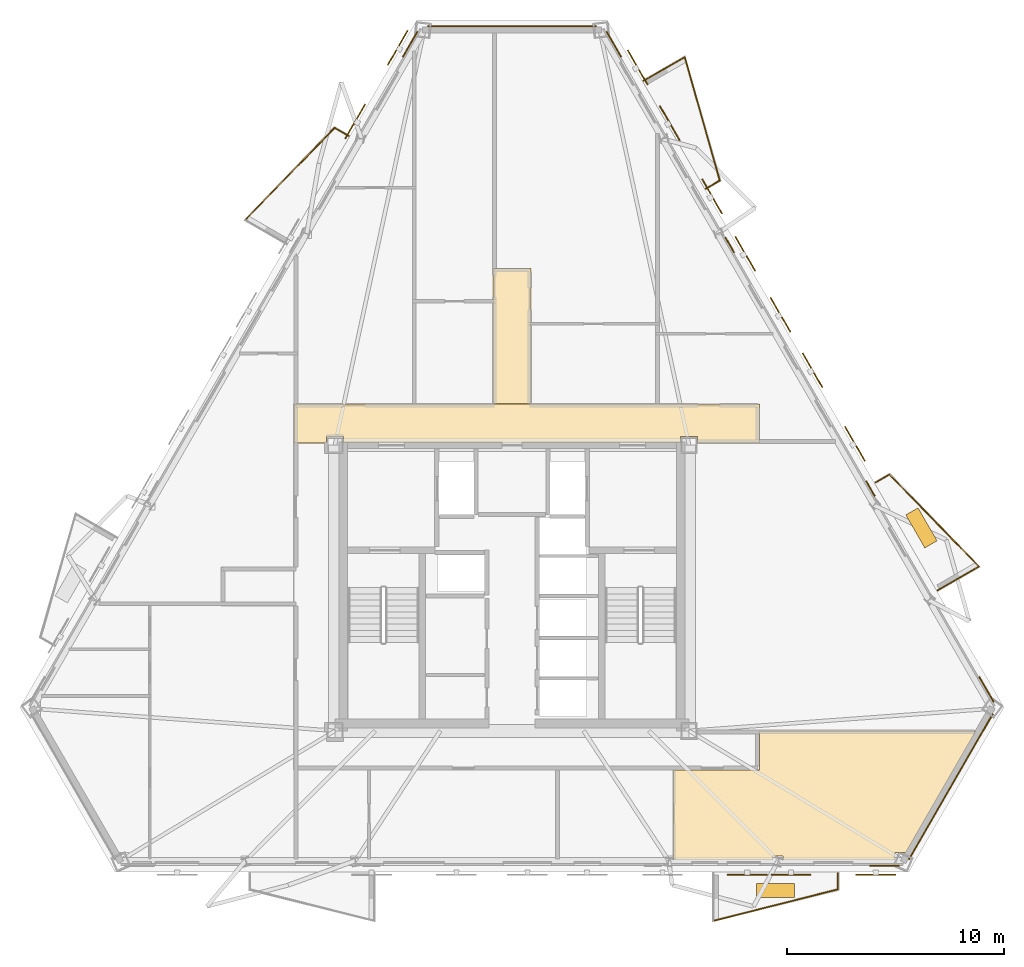
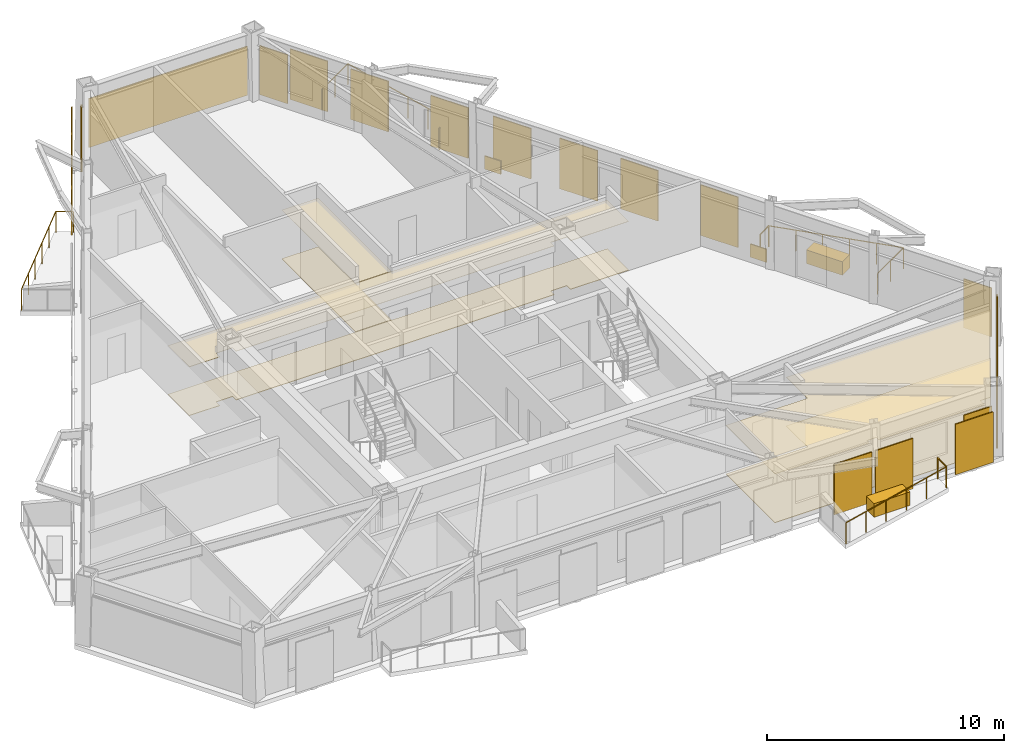
# One storey, part 9 of 9: 16 coverings, 12 shading devices, 10 railings.
"""IFC4 building model written with IfcOpenShell, lengths in metres."""

import ifcopenshell
import ifcopenshell.guid

model = None  # the IFC model being written
_history = None  # IfcOwnerHistory: only IFC2X3 demands one
_inside = {}  # id of a spatial element -> (the spatial element, [elements in it])
_under = {}  # id of a project, library or spatial element -> (it, [spatial elements below it])
_declared = {}  # id of a project -> (the project, [libraries it declares])
_typed = {}  # id of a type object -> (the type object, [elements of that type])
_made_of = {}  # id of a material, layer set ... -> (it, [elements and type objects made of it])


def new_model(schema):
    """Start an empty IFC model of exactly this schema.

    Asked for "IFC4X3", IfcOpenShell would pick the latest addendum, in which some entities
    have other attributes; the version numbers below select the first issue.
    IFC2X3 requires an IfcOwnerHistory on every rooted entity: one is made here for all.
    """
    global model, _history
    if schema == "IFC4X3":
        model = ifcopenshell.file(schema_version=(4, 3, 0, 0))
    else:
        model = ifcopenshell.file(schema=schema)
    _inside.clear()
    _under.clear()
    _declared.clear()
    _typed.clear()
    _made_of.clear()
    _history = None
    if model.schema == "IFC2X3":
        org = make("IfcOrganization", Name="unknown")
        user = make(
            "IfcPersonAndOrganization",
            ThePerson=make("IfcPerson", FamilyName="unknown"),
            TheOrganization=org,
        )
        app = make(
            "IfcApplication",
            ApplicationDeveloper=org,
            Version="unknown",
            ApplicationFullName="unknown",
            ApplicationIdentifier="unknown",
        )
        _history = make(
            "IfcOwnerHistory",
            OwningUser=user,
            OwningApplication=app,
            ChangeAction="ADDED",
            CreationDate=0,
        )
    return model


def make(cls, **values):
    """One entity of the class cls with the attributes given. An attribute that is None is left unset."""
    return model.create_entity(
        cls, **{name: value for name, value in values.items() if value is not None}
    )


def rooted(cls, **values):
    """An entity with a GlobalId (a new one), such as an element, a storey or a relation."""
    return make(cls, GlobalId=ifcopenshell.guid.new(), OwnerHistory=_history, **values)


def si_unit(unit_type, name, prefix=None):
    """IfcSIUnit, for example si_unit("LENGTHUNIT", "METRE", prefix="MILLI")."""
    return make("IfcSIUnit", UnitType=unit_type, Prefix=prefix, Name=name)


def assignment(units):
    """IfcUnitAssignment: the units of a project."""
    return None if units is None else make("IfcUnitAssignment", Units=units)


def point(xyz):
    """IfcCartesianPoint."""
    return None if xyz is None else make("IfcCartesianPoint", Coordinates=xyz)


def direction(xyz):
    """IfcDirection."""
    return None if xyz is None else make("IfcDirection", DirectionRatios=xyz)


def frame(location, z_axis=None, x_axis=None):
    """IfcAxis2Placement3D, a coordinate frame: its origin and axes. An axis left out is left unset."""
    return make(
        "IfcAxis2Placement3D",
        Location=point(location),
        Axis=direction(z_axis),
        RefDirection=direction(x_axis),
    )


def frame_2d(location, x_axis=None):
    """IfcAxis2Placement2D, a coordinate frame in the plane: its origin and x axis."""
    return make(
        "IfcAxis2Placement2D", Location=point(location), RefDirection=direction(x_axis)
    )


def origin():
    """The frame at (0, 0, 0) with its axes left unset."""
    return frame((0.0, 0.0, 0.0))


def origin_2d():
    """The frame at (0, 0) in the plane with its x axis left unset."""
    return frame_2d((0.0, 0.0))


def place(relative_to, where):
    """IfcLocalPlacement: puts the frame where relative to a parent placement (None: the world)."""
    return make(
        "IfcLocalPlacement", PlacementRelTo=relative_to, RelativePlacement=where
    )


def context(
    kind, dimensions, precision=None, world=None, true_north=None, identifier=None
):
    """IfcGeometricRepresentationContext, for example the 3D "Model" context."""
    return make(
        "IfcGeometricRepresentationContext",
        ContextIdentifier=identifier,
        ContextType=kind,
        CoordinateSpaceDimension=dimensions,
        Precision=precision,
        WorldCoordinateSystem=world,
        TrueNorth=true_north,
    )


def subcontext(parent, identifier, kind, view, scale=None):
    """IfcGeometricRepresentationSubContext, for example "Body" below "Model"."""
    return make(
        "IfcGeometricRepresentationSubContext",
        ContextIdentifier=identifier,
        ContextType=kind,
        ParentContext=parent,
        TargetScale=scale,
        TargetView=view,
    )


def project(units=None, contexts=None):
    """IfcProject with its units and contexts."""
    return rooted(
        "IfcProject",
        Name="project",
        RepresentationContexts=contexts,
        UnitsInContext=assignment(units),
    )


def spatial(cls, under=None, at=None, **own):
    """A site, building, storey or space (cls), placed at a placement, below another one or the project."""
    s = rooted(cls, ObjectPlacement=at, **own)
    if under is not None:
        _under.setdefault(under.id(), (under, []))[1].append(s)
    return s


def polyline(points):
    """IfcPolyline through the points."""
    return make("IfcPolyline", Points=[point(p) for p in points])


def profile(cls, at=None, kind="AREA", **sizes):
    """A parametric profile (cls). Its sizes go by their IFC names, for example OverallWidth=200.0."""
    return make(cls, ProfileType=kind, Position=at, **sizes)


def rectangle(**sizes):
    """IfcRectangleProfileDef."""
    return profile("IfcRectangleProfileDef", **sizes)


def circle(**sizes):
    """IfcCircleProfileDef."""
    return profile("IfcCircleProfileDef", **sizes)


def outline(outer, holes=None, kind="AREA"):
    """IfcArbitraryClosedProfileDef: a profile drawn as a closed curve; with holes, ...WithVoids."""
    if holes is None:
        return make("IfcArbitraryClosedProfileDef", ProfileType=kind, OuterCurve=outer)
    return make(
        "IfcArbitraryProfileDefWithVoids",
        ProfileType=kind,
        OuterCurve=outer,
        InnerCurves=holes,
    )


def extrude(swept, where, along, depth):
    """IfcExtrudedAreaSolid: the profile swept, set in the frame where, extruded along a direction by depth."""
    return make(
        "IfcExtrudedAreaSolid",
        SweptArea=swept,
        Position=where,
        ExtrudedDirection=direction(along),
        Depth=depth,
    )


def shape(context_of_items, identifier, shape_type, items):
    """IfcShapeRepresentation: the items that make up one representation, for example the "Body"."""
    return make(
        "IfcShapeRepresentation",
        ContextOfItems=context_of_items,
        RepresentationIdentifier=identifier,
        RepresentationType=shape_type,
        Items=items,
    )


def material(Name=None, Category=None):
    """IfcMaterial."""
    return make("IfcMaterial", Name=Name, Category=Category)


def layer(
    of_material, thickness, ventilated=None, Name=None, Category=None, Priority=None
):
    """IfcMaterialLayer: one layer of a wall or slab, of a material (None: an air gap)."""
    return make(
        "IfcMaterialLayer",
        Material=of_material,
        LayerThickness=thickness,
        IsVentilated=ventilated,
        Name=Name,
        Category=Category,
        Priority=Priority,
    )


def layer_set(layers, Name=None):
    """IfcMaterialLayerSet."""
    return make("IfcMaterialLayerSet", MaterialLayers=layers, LayerSetName=Name)


def made_of(thing, what):
    """Note that an element or type object is made of a material, layer set ...; save() writes the relation."""
    if what is not None:
        _made_of.setdefault(what.id(), (what, []))[1].append(thing)
    return thing


def type_object(cls, material=None, **own):
    """A type object (cls), such as IfcWallType, which elements share."""
    return made_of(rooted(cls, **own), material)


def element(
    cls,
    number,
    at=None,
    inside=None,
    cuts=None,
    type_object=None,
    material=None,
    context=None,
    identifier="Body",
    shape_type=None,
    held_by="IfcProductDefinitionShape",
    body=None,
    shapes=None,
    **own,
):
    """One element of the class cls, such as IfcWall. Its Tag is "e" and its number.

    at: its placement. inside: the storey or other place that contains it. cuts: it is an
    opening in that element (IfcRelVoidsElement). A single representation is given by context,
    identifier, shape_type and body (its items); several are given by shapes. held_by: the class
    of the entity that holds the representations. save() writes the other relations.
    """
    e = rooted(cls, Tag="e%d" % number, ObjectPlacement=at, **own)
    if body is not None:
        shapes = [shape(context, identifier, shape_type, body)]
    if shapes is not None:
        e.Representation = make(held_by, Representations=shapes)
    if inside is not None:
        _inside.setdefault(inside.id(), (inside, []))[1].append(e)
    if cuts is not None:
        rooted(
            "IfcRelVoidsElement", RelatingBuildingElement=cuts, RelatedOpeningElement=e
        )
    if type_object is not None:
        _typed.setdefault(type_object.id(), (type_object, []))[1].append(e)
    return made_of(e, material)


def aggregate(whole, parts):
    """IfcRelAggregates: a whole, such as a stair, and the parts it consists of."""
    return rooted("IfcRelAggregates", RelatingObject=whole, RelatedObjects=parts)


def save(model, path):
    """Write the relations noted so far, then the file.

    IfcRelAggregates (storeys below a building ...), IfcRelContainedInSpatialStructure (elements
    in a storey), IfcRelDefinesByType, IfcRelAssociatesMaterial and IfcRelDeclares: one each for
    every whole, place, type object, material and project.
    """
    for whole, parts in _under.values():
        aggregate(whole, parts)
    for where, things in _inside.values():
        rooted(
            "IfcRelContainedInSpatialStructure",
            RelatedElements=things,
            RelatingStructure=where,
        )
    for kind, things in _typed.values():
        rooted("IfcRelDefinesByType", RelatedObjects=things, RelatingType=kind)
    for what, things in _made_of.values():
        rooted("IfcRelAssociatesMaterial", RelatedObjects=things, RelatingMaterial=what)
    for by, libraries in _declared.values():
        rooted("IfcRelDeclares", RelatingContext=by, RelatedDefinitions=libraries)
    model.write(path)


model = new_model("IFC4")

# Units and contexts
model_context = context("Model", 3, precision=1e-05, world=origin(), true_north=direction((0.0, 1.0)))
body_context = subcontext(model_context, "Body", "Model", "MODEL_VIEW")
ifc_project = project(units=[si_unit("LENGTHUNIT", "METRE"), si_unit("AREAUNIT", "SQUARE_METRE"), si_unit("VOLUMEUNIT", "CUBIC_METRE"), si_unit("PLANEANGLEUNIT", "RADIAN"), si_unit("MASSUNIT", "GRAM", prefix="KILO")], contexts=[model_context])

# Site, building, storey
site_placement = place(None, origin())
site = spatial("IfcSite", under=ifc_project, at=site_placement, CompositionType="ELEMENT")
building_placement = place(site_placement, origin())
building = spatial("IfcBuilding", under=site, at=building_placement, Name="Oramaril Tower", CompositionType="ELEMENT")
storey_placement = place(building_placement, frame((0.0, 0.0, 178.199951171875)))
storey = spatial("IfcBuildingStorey", under=building, at=storey_placement, Name="L47", CompositionType="ELEMENT", Elevation=178.199951171875)

# Coverings
ifc_material_1 = material(Name="Mineral Fibre Acoustic Ceiling")
ifc_layer_1 = layer(ifc_material_1, 0.02001953125)
ifc_layer_set_1 = layer_set([ifc_layer_1], Name="CVT-CEIL")
covering_type_1 = type_object("IfcCoveringType", Name="CVT-CEIL", PredefinedType="CEILING", material=ifc_layer_set_1)
covering_1_placement = place(storey_placement, frame((0.0, 0.0, 2.511962890625)))
element("IfcCovering", 1, at=covering_1_placement, inside=storey, type_object=covering_type_1, Name="L47 Acoustic Suspended Ceiling 2", PredefinedType="CEILING", context=body_context, shape_type="SweptSolid", body=[
    extrude(outline(polyline([(48.8798828125, 24.239990234375), (46.044921875, 24.239990234375), (46.044921875, 24.544921875), (45.2548828125, 24.544921875), (45.2548828125, 24.25), (29.7451171875, 24.25), (29.7451171875, 24.544921875), (28.955078125, 24.544921875), (28.955078125, 24.239990234375), (27.469970703125, 24.239990234375), (27.469970703125, 26.050048828125), (48.8798828125, 26.050048828125), (48.8798828125, 24.239990234375)])), origin(), (0.0, 0.0, 1.0), 0.02001953125),
])
covering_2_placement = place(storey_placement, frame((0.0, 0.0, 2.511962890625)))
element("IfcCovering", 2, at=covering_2_placement, inside=storey, type_object=covering_type_1, Name="L47 Acoustic Suspended Ceiling 4", PredefinedType="CEILING", context=body_context, shape_type="SweptSolid", body=[
    extrude(outline(polyline([(38.3798828125, 26.070068359375), (36.6201171875, 26.070068359375), (36.6201171875, 32.280029296875), (38.3798828125, 32.280029296875), (38.3798828125, 26.070068359375)])), origin(), (0.0, 0.0, 1.0), 0.02001953125),
])
covering_3_placement = place(storey_placement, frame((0.0, 0.0, 2.511962890625)))
element("IfcCovering", 3, at=covering_3_placement, inside=storey, type_object=covering_type_1, Name="L47 Acoustic Suspended Ceiling 8", PredefinedType="CEILING", context=body_context, shape_type="SweptSolid", body=[
    extrude(outline(polyline([(55.626708984375, 5.39892578125), (55.1259765625, 5.39892578125), (55.1259765625, 5.064697265625), (49.977783203125, 5.064697265625), (49.977783203125, 5.248291015625), (49.517822265625, 5.248291015625), (49.517822265625, 5.064697265625), (44.93017578125, 5.064697265625), (44.93017578125, 5.248291015625), (44.92919921875, 5.248291015625), (44.92919921875, 9.199951171875), (48.8798828125, 9.199951171875), (48.882080078125, 9.2001953125), (48.8837890625, 9.200439453125), (48.8857421875, 9.200927734375), (48.8876953125, 9.201416015625), (48.889404296875, 9.202392578125), (48.89111328125, 9.203369140625), (48.892578125, 9.20458984375), (48.89404296875, 9.205810546875), (48.8955078125, 9.207275390625), (48.896484375, 9.208984375), (48.897705078125, 9.210693359375), (48.8984375, 9.21240234375), (48.899169921875, 9.214111328125), (48.899658203125, 9.216064453125), (48.89990234375, 9.218017578125), (48.89990234375, 9.219970703125), (48.89990234375, 10.991943359375), (58.855712890625, 10.991943359375), (55.626708984375, 5.39892578125)])), origin(), (0.0, 0.0, 1.0), 0.02001953125),
])
ifc_material_2 = material(Name="Warm Cream Limestone", Category="masonry")
ifc_layer_2 = layer(ifc_material_2, 0.050048828125)
ifc_layer_set_2 = layer_set([ifc_layer_2], Name="CVT-CLD")
covering_type_2 = type_object("IfcCoveringType", Name="CVT-CLD", PredefinedType="CLADDING", material=ifc_layer_set_2)
covering_4_placement = place(storey_placement, frame((54.64599609375, 4.788818359375, 0.0400390625), z_axis=(0.0, 0.0, 1.0), x_axis=(1.0, 0.0, 0.0)))
element("IfcCovering", 4, at=covering_4_placement, inside=storey, type_object=covering_type_2, Name="L47 Warm Cream Limestone Cladding", PredefinedType="CLADDING", context=body_context, shape_type="SweptSolid", body=[
    extrude(rectangle(XDim=1.35009765625, YDim=0.050048828125, at=origin_2d()), origin(), (0.0, 0.0, 1.0), 2.52001953125),
])
covering_5_placement = place(storey_placement, frame((57.69970703125, 8.437744140625, 0.0400390625), z_axis=(0.0, 0.0, 1.0), x_axis=(0.5, 0.866025403784, 0.0)))
element("IfcCovering", 5, at=covering_5_placement, inside=storey, type_object=covering_type_2, Name="L47 Warm Cream Limestone Cladding", PredefinedType="CLADDING", context=body_context, shape_type="SweptSolid", body=[
    extrude(rectangle(XDim=7.73291015625, YDim=0.050048828125, at=origin_2d()), origin(), (0.0, 0.0, 1.0), 2.52001953125),
])
for number, where, z_axis, x_axis, name in (
    (6, (59.3330078125, 12.90673828125, 0.0400390625), (0.0, 0.0, 1.0), (-0.5, 0.866025403784, 0.0), "L47 Warm Cream Limestone Cladding"),
    (7, (42.18701171875, 42.6044921875, 0.0400390625), (0.0, 0.0, 1.0), (-0.5, 0.866025403784, 0.0), "L47 Warm Cream Limestone Cladding"),
):
    element("IfcCovering", number, at=place(storey_placement, frame(where, z_axis=z_axis, x_axis=x_axis)), inside=storey, type_object=covering_type_2, Name=name, PredefinedType="CLADDING", context=body_context, shape_type="SweptSolid", body=[
        extrude(rectangle(XDim=1.35009765625, YDim=0.050048828125, at=origin_2d()), origin(), (0.0, 0.0, 1.0), 2.52001953125),
    ])
for number, where, z_axis, x_axis, name in (
    (8, (53.999267578125, 22.14501953125, 0.0400390625), (0.0, 0.0, 1.0), (-0.5, 0.866025403784, 0.0), "L47 Warm Cream Limestone Spandrel Cladding"),
    (9, (47.5205078125, 33.3662109375, 0.0400390625), (0.0, 0.0, 1.0), (-0.5, 0.866025403784, 0.0), "L47 Warm Cream Limestone Spandrel Cladding"),
):
    element("IfcCovering", number, at=place(storey_placement, frame(where, z_axis=z_axis, x_axis=x_axis)), inside=storey, type_object=covering_type_2, Name=name, PredefinedType="CLADDING", context=body_context, shape_type="SweptSolid", body=[
        extrude(rectangle(XDim=0.800048828125, YDim=0.050048828125, at=origin_2d()), origin(), (0.0, 0.0, 1.0), 0.679931640625),
    ])
covering_6_placement = place(storey_placement, frame((37.5, 43.424560546875, 0.0400390625), z_axis=(0.0, 0.0, 1.0), x_axis=(-1.0, 0.0, 0.0)))
element("IfcCovering", 10, at=covering_6_placement, inside=storey, type_object=covering_type_2, Name="L47 Warm Cream Limestone Cladding", PredefinedType="CLADDING", context=body_context, shape_type="SweptSolid", body=[
    extrude(rectangle(XDim=7.73291015625, YDim=0.050048828125, at=origin_2d()), origin(), (0.0, 0.0, 1.0), 2.52001953125),
])
covering_7_placement = place(storey_placement, frame((32.81298828125, 42.6044921875, 0.0400390625), z_axis=(0.0, 0.0, 1.0), x_axis=(-0.5, -0.866025403784, 0.0)))
element("IfcCovering", 11, at=covering_7_placement, inside=storey, type_object=covering_type_2, Name="L47 Warm Cream Limestone Cladding", PredefinedType="CLADDING", context=body_context, shape_type="SweptSolid", body=[
    extrude(rectangle(XDim=1.35009765625, YDim=0.050048828125, at=origin_2d()), origin(), (0.0, 0.0, 1.0), 2.52001953125),
])
for number, where, z_axis, x_axis, name in (
    (12, (49.63671875, 3.660400390625, 0.0), (0.0, 0.0, 1.0), (1.0, 0.0, 0.0), "L47 Structural Tree Planter Box L47-BAL-S2"),
    (13, (56.343017578125, 20.34228515625, 0.0), (0.0, 0.0, 1.0), (-0.5, 0.866025403784, 0.0), "L47 Structural Tree Planter Box L47-BAL-NE1"),
):
    element("IfcCovering", number, at=place(storey_placement, frame(where, z_axis=z_axis, x_axis=x_axis)), inside=storey, type_object=covering_type_2, Name=name, PredefinedType="CLADDING", context=body_context, shape_type="SweptSolid", body=[
        extrude(rectangle(XDim=1.75, YDim=0.64990234375, at=origin_2d()), origin(), (0.0, 0.0, 1.0), 0.699951171875),
    ])
ifc_material_3 = material(Name="Honed Quartzite Stone Flooring", Category="masonry")
ifc_layer_3 = layer(ifc_material_3, 0.02490234375)
ifc_layer_set_3 = layer_set([ifc_layer_3], Name="CVT-FLR")
covering_type_3 = type_object("IfcCoveringType", Name="CVT-FLR", PredefinedType="FLOORING", material=ifc_layer_set_3)
covering_8_placement = place(storey_placement, origin())
element("IfcCovering", 14, at=covering_8_placement, inside=storey, type_object=covering_type_3, Name="L47 Honed Stone Floor Finish 2", PredefinedType="FLOORING", context=body_context, shape_type="SweptSolid", body=[
    extrude(outline(polyline([(48.8798828125, 24.239990234375), (46.044921875, 24.239990234375), (46.044921875, 24.544921875), (45.2548828125, 24.544921875), (45.2548828125, 24.25), (29.7451171875, 24.25), (29.7451171875, 24.544921875), (28.955078125, 24.544921875), (28.955078125, 24.239990234375), (27.469970703125, 24.239990234375), (27.469970703125, 26.050048828125), (48.8798828125, 26.050048828125), (48.8798828125, 24.239990234375)])), origin(), (0.0, 0.0, 1.0), 0.025146484375),
])
covering_9_placement = place(storey_placement, origin())
element("IfcCovering", 15, at=covering_9_placement, inside=storey, type_object=covering_type_3, Name="L47 Honed Stone Floor Finish 4", PredefinedType="FLOORING", context=body_context, shape_type="SweptSolid", body=[
    extrude(outline(polyline([(38.3798828125, 26.070068359375), (36.6201171875, 26.070068359375), (36.6201171875, 32.280029296875), (38.3798828125, 32.280029296875), (38.3798828125, 26.070068359375)])), origin(), (0.0, 0.0, 1.0), 0.025146484375),
])
covering_10_placement = place(storey_placement, origin())
element("IfcCovering", 16, at=covering_10_placement, inside=storey, type_object=covering_type_3, Name="L47 Honed Stone Floor Finish 8", PredefinedType="FLOORING", context=body_context, shape_type="SweptSolid", body=[
    extrude(outline(polyline([(55.626708984375, 5.39892578125), (55.1259765625, 5.39892578125), (55.1259765625, 5.064697265625), (49.977783203125, 5.064697265625), (49.977783203125, 5.248291015625), (49.517822265625, 5.248291015625), (49.517822265625, 5.064697265625), (44.93017578125, 5.064697265625), (44.93017578125, 5.248291015625), (44.92919921875, 5.248291015625), (44.92919921875, 9.199951171875), (48.8798828125, 9.199951171875), (48.882080078125, 9.2001953125), (48.8837890625, 9.200439453125), (48.8857421875, 9.200927734375), (48.8876953125, 9.201416015625), (48.889404296875, 9.202392578125), (48.89111328125, 9.203369140625), (48.892578125, 9.20458984375), (48.89404296875, 9.205810546875), (48.8955078125, 9.207275390625), (48.896484375, 9.208984375), (48.897705078125, 9.210693359375), (48.8984375, 9.21240234375), (48.899169921875, 9.214111328125), (48.899658203125, 9.216064453125), (48.89990234375, 9.218017578125), (48.89990234375, 9.219970703125), (48.89990234375, 10.991943359375), (58.855712890625, 10.991943359375), (55.626708984375, 5.39892578125)])), origin(), (0.0, 0.0, 1.0), 0.025146484375),
])

# Railings
ifc_material_4 = material(Name="Stainless Steel 316L", Category="steel")
railing_type = type_object("IfcRailingType", Name="RLT-GRD", PredefinedType="GUARDRAIL", material=ifc_material_4)
railing_1_placement = place(storey_placement, frame((52.501708984375, 4.44873046875, 0.0)))
element("IfcRailing", 17, at=railing_1_placement, inside=storey, type_object=railing_type, Name="L47 Balcony Guardrail L47-BAL-S2.1", PredefinedType="GUARDRAIL", context=body_context, shape_type="SweptSolid", body=[
    extrude(circle(Radius=0.02392578125, at=origin_2d()), frame((0.0, 0.0, 1.076171875), z_axis=(0.0, -1.0, 0.0), x_axis=(1.0, 0.0, 0.0)), (0.0, 0.0, 1.0), 0.741943359375),
    extrude(circle(Radius=0.02099609375, at=origin_2d()), origin(), (0.0, 0.0, 1.0), 1.052001953125),
    extrude(circle(Radius=0.02099609375, at=origin_2d()), frame((0.0, -0.741943359375, 0.0)), (0.0, 0.0, 1.0), 1.052001953125),
])
railing_2_placement = place(storey_placement, frame((52.501708984375, 3.706787109375, 0.0)))
element("IfcRailing", 18, at=railing_2_placement, inside=storey, type_object=railing_type, Name="L47 Balcony Guardrail L47-BAL-S2.2", PredefinedType="GUARDRAIL", context=body_context, shape_type="SweptSolid", body=[
    extrude(circle(Radius=0.02392578125, at=origin_2d()), frame((0.0, 0.0, 1.076171875), z_axis=(-0.969446096844, -0.245304433946, 0.0), x_axis=(0.245304433946, -0.969446096844, 0.0)), (0.0, 0.0, 1.0), 5.910888671875),
    extrude(circle(Radius=0.02099609375, at=origin_2d()), origin(), (0.0, 0.0, 1.0), 1.052001953125),
    extrude(circle(Radius=0.02099609375, at=origin_2d()), frame((-1.14599609375, -0.2900390625, 0.0)), (0.0, 0.0, 1.0), 1.052001953125),
    extrude(circle(Radius=0.02099609375, at=origin_2d()), frame((-2.2919921875, -0.580078125, 0.0)), (0.0, 0.0, 1.0), 1.052001953125),
    extrude(circle(Radius=0.02099609375, at=origin_2d()), frame((-3.438232421875, -0.869873046875, 0.0)), (0.0, 0.0, 1.0), 1.052001953125),
    extrude(circle(Radius=0.02099609375, at=origin_2d()), frame((-4.584228515625, -1.159912109375, 0.0)), (0.0, 0.0, 1.0), 1.052001953125),
    extrude(circle(Radius=0.02099609375, at=origin_2d()), frame((-5.730224609375, -1.449951171875, 0.0)), (0.0, 0.0, 1.0), 1.052001953125),
])
railing_3_placement = place(storey_placement, frame((54.227783203125, 22.42919921875, 0.0)))
element("IfcRailing", 19, at=railing_3_placement, inside=storey, type_object=railing_type, Name="L47 Balcony Guardrail L47-BAL-NE1.1", PredefinedType="GUARDRAIL", context=body_context, shape_type="SweptSolid", body=[
    extrude(circle(Radius=0.02392578125, at=origin_2d()), frame((0.0, 0.0, 1.076171875), z_axis=(0.865884080729, 0.500244698863, 0.0), x_axis=(-0.500244698863, 0.865884080729, 0.0)), (0.0, 0.0, 1.0), 0.741943359375),
    extrude(circle(Radius=0.02099609375, at=origin_2d()), origin(), (0.0, 0.0, 1.0), 1.052001953125),
    extrude(circle(Radius=0.02099609375, at=origin_2d()), frame((0.642333984375, 0.37109375, 0.0)), (0.0, 0.0, 1.0), 1.052001953125),
])
railing_4_placement = place(storey_placement, frame((54.8701171875, 22.80029296875, 0.0)))
element("IfcRailing", 20, at=railing_4_placement, inside=storey, type_object=railing_type, Name="L47 Balcony Guardrail L47-BAL-NE1.2", PredefinedType="GUARDRAIL", context=body_context, shape_type="SweptSolid", body=[
    extrude(circle(Radius=0.02392578125, at=origin_2d()), frame((0.0, 0.0, 1.076171875), z_axis=(0.697186915353, -0.716889395277, 0.0), x_axis=(0.716889395277, 0.697186915353, 0.0)), (0.0, 0.0, 1.0), 5.91064453125),
    extrude(circle(Radius=0.02099609375, at=origin_2d()), origin(), (0.0, 0.0, 1.0), 1.052001953125),
    extrude(circle(Radius=0.02099609375, at=origin_2d()), frame((0.82421875, -0.847412109375, 0.0)), (0.0, 0.0, 1.0), 1.052001953125),
    extrude(circle(Radius=0.02099609375, at=origin_2d()), frame((1.6484375, -1.69482421875, 0.0)), (0.0, 0.0, 1.0), 1.052001953125),
    extrude(circle(Radius=0.02099609375, at=origin_2d()), frame((2.472412109375, -2.54248046875, 0.0)), (0.0, 0.0, 1.0), 1.052001953125),
    extrude(circle(Radius=0.02099609375, at=origin_2d()), frame((3.296630859375, -3.389892578125, 0.0)), (0.0, 0.0, 1.0), 1.052001953125),
    extrude(circle(Radius=0.02099609375, at=origin_2d()), frame((4.120849609375, -4.2373046875, 0.0)), (0.0, 0.0, 1.0), 1.052001953125),
])
railing_5_placement = place(storey_placement, frame((58.990966796875, 18.56298828125, 0.0)))
element("IfcRailing", 21, at=railing_5_placement, inside=storey, type_object=railing_type, Name="L47 Balcony Guardrail L47-BAL-NE1.3", PredefinedType="GUARDRAIL", context=body_context, shape_type="SweptSolid", body=[
    extrude(circle(Radius=0.02392578125, at=origin_2d()), frame((0.0, 0.0, 1.076171875), z_axis=(-0.866020500697, -0.5000084923, 0.0), x_axis=(0.5000084923, -0.866020500697, 0.0)), (0.0, 0.0, 1.0), 2.19189453125),
    extrude(circle(Radius=0.02099609375, at=origin_2d()), origin(), (0.0, 0.0, 1.0), 1.052001953125),
    extrude(circle(Radius=0.02099609375, at=origin_2d()), frame((-0.94921875, -0.5478515625, 0.0)), (0.0, 0.0, 1.0), 1.052001953125),
    extrude(circle(Radius=0.02099609375, at=origin_2d()), frame((-1.898193359375, -1.095947265625, 0.0)), (0.0, 0.0, 1.0), 1.052001953125),
])
railing_6_placement = place(storey_placement, frame((43.5537109375, 40.917236328125, 0.0)))
element("IfcRailing", 22, at=railing_6_placement, inside=storey, type_object=railing_type, Name="L47 Balcony Guardrail L47-BAL-NE2.1", PredefinedType="GUARDRAIL", context=body_context, shape_type="SweptSolid", body=[
    extrude(circle(Radius=0.02392578125, at=origin_2d()), frame((0.0, 0.0, 1.076171875), z_axis=(0.866020500697, 0.5000084923, 0.0), x_axis=(-0.5000084923, 0.866020500697, 0.0)), (0.0, 0.0, 1.0), 2.19189453125),
    extrude(circle(Radius=0.02099609375, at=origin_2d()), origin(), (0.0, 0.0, 1.0), 1.052001953125),
    extrude(circle(Radius=0.02099609375, at=origin_2d()), frame((0.94921875, 0.5478515625, 0.0)), (0.0, 0.0, 1.0), 1.052001953125),
    extrude(circle(Radius=0.02099609375, at=origin_2d()), frame((1.898193359375, 1.095947265625, 0.0)), (0.0, 0.0, 1.0), 1.052001953125),
])
railing_7_placement = place(storey_placement, frame((45.451904296875, 42.01318359375, 0.0)))
element("IfcRailing", 23, at=railing_7_placement, inside=storey, type_object=railing_type, Name="L47 Balcony Guardrail L47-BAL-NE2.2", PredefinedType="GUARDRAIL", context=body_context, shape_type="SweptSolid", body=[
    extrude(circle(Radius=0.02392578125, at=origin_2d()), frame((0.0, 0.0, 1.076171875), z_axis=(0.272259686627, -0.962223811303, 0.0), x_axis=(0.962223811303, 0.272259686627, 0.0)), (0.0, 0.0, 1.0), 5.910400390625),
    extrude(circle(Radius=0.02099609375, at=origin_2d()), origin(), (0.0, 0.0, 1.0), 1.052001953125),
    extrude(circle(Radius=0.02099609375, at=origin_2d()), frame((0.32177734375, -1.137451171875, 0.0)), (0.0, 0.0, 1.0), 1.052001953125),
    extrude(circle(Radius=0.02099609375, at=origin_2d()), frame((0.6435546875, -2.27490234375, 0.0)), (0.0, 0.0, 1.0), 1.052001953125),
    extrude(circle(Radius=0.02099609375, at=origin_2d()), frame((0.965576171875, -3.412109375, 0.0)), (0.0, 0.0, 1.0), 1.052001953125),
    extrude(circle(Radius=0.02099609375, at=origin_2d()), frame((1.287353515625, -4.549560546875, 0.0)), (0.0, 0.0, 1.0), 1.052001953125),
    extrude(circle(Radius=0.02099609375, at=origin_2d()), frame((1.609130859375, -5.68701171875, 0.0)), (0.0, 0.0, 1.0), 1.052001953125),
])
railing_8_placement = place(storey_placement, frame((47.06103515625, 36.326171875, 0.0)))
element("IfcRailing", 24, at=railing_8_placement, inside=storey, type_object=railing_type, Name="L47 Balcony Guardrail L47-BAL-NE2.3", PredefinedType="GUARDRAIL", context=body_context, shape_type="SweptSolid", body=[
    extrude(circle(Radius=0.02392578125, at=origin_2d()), frame((0.0, 0.0, 1.076171875), z_axis=(-0.865884080729, -0.500244698863, 0.0), x_axis=(0.500244698863, -0.865884080729, 0.0)), (0.0, 0.0, 1.0), 0.741943359375),
    extrude(circle(Radius=0.02099609375, at=origin_2d()), origin(), (0.0, 0.0, 1.0), 1.052001953125),
    extrude(circle(Radius=0.02099609375, at=origin_2d()), frame((-0.642333984375, -0.37109375, 0.0)), (0.0, 0.0, 1.0), 1.052001953125),
])
railing_9_placement = place(storey_placement, frame((25.220703125, 34.517822265625, 0.0)))
element("IfcRailing", 25, at=railing_9_placement, inside=storey, type_object=railing_type, Name="L47 Balcony Guardrail L47-BAL-NW1.2", PredefinedType="GUARDRAIL", context=body_context, shape_type="SweptSolid", body=[
    extrude(circle(Radius=0.02392578125, at=origin_2d()), frame((0.0, 0.0, 1.076171875), z_axis=(0.697165686546, 0.716910040034, 0.0), x_axis=(-0.716910040034, 0.697165686546, 0.0)), (0.0, 0.0, 1.0), 5.910400390625),
    extrude(circle(Radius=0.02099609375, at=origin_2d()), origin(), (0.0, 0.0, 1.0), 1.052001953125),
    extrude(circle(Radius=0.02099609375, at=origin_2d()), frame((0.82421875, 0.847412109375, 0.0)), (0.0, 0.0, 1.0), 1.052001953125),
    extrude(circle(Radius=0.02099609375, at=origin_2d()), frame((1.648193359375, 1.69482421875, 0.0)), (0.0, 0.0, 1.0), 1.052001953125),
    extrude(circle(Radius=0.02099609375, at=origin_2d()), frame((2.472412109375, 2.54248046875, 0.0)), (0.0, 0.0, 1.0), 1.052001953125),
    extrude(circle(Radius=0.02099609375, at=origin_2d()), frame((3.29638671875, 3.389892578125, 0.0)), (0.0, 0.0, 1.0), 1.052001953125),
    extrude(circle(Radius=0.02099609375, at=origin_2d()), frame((4.12060546875, 4.2373046875, 0.0)), (0.0, 0.0, 1.0), 1.052001953125),
])
railing_10_placement = place(storey_placement, frame((29.34130859375, 38.755126953125, 0.0)))
element("IfcRailing", 26, at=railing_10_placement, inside=storey, type_object=railing_type, Name="L47 Balcony Guardrail L47-BAL-NW1.3", PredefinedType="GUARDRAIL", context=body_context, shape_type="SweptSolid", body=[
    extrude(circle(Radius=0.02392578125, at=origin_2d()), frame((0.0, 0.0, 1.076171875), z_axis=(0.866108878364, -0.499855389907, 0.0), x_axis=(0.499855389907, 0.866108878364, 0.0)), (0.0, 0.0, 1.0), 0.741943359375),
    extrude(circle(Radius=0.02099609375, at=origin_2d()), origin(), (0.0, 0.0, 1.0), 1.052001953125),
    extrude(circle(Radius=0.02099609375, at=origin_2d()), frame((0.642578125, -0.370849609375, 0.0)), (0.0, 0.0, 1.0), 1.052001953125),
])

# Shading devices
for number, where, z_axis, x_axis, name in (
    (27, (48.32568359375, 4.376708984375, -0.02001953125), (0.0, 0.0, 1.0), (1.0, 0.0, 0.0), "L47 Perforated Ceramic Solar Screen"),
    (28, (50.33935546875, 4.376708984375, -0.02001953125), (0.0, 0.0, 1.0), (1.0, 0.0, 0.0), "L47 Perforated Ceramic Solar Screen"),
    (29, (54.2392578125, 4.376708984375, -0.02001953125), (0.0, 0.0, 1.0), (1.0, 0.0, 0.0), "L47 Perforated Ceramic Solar Screen"),
    (30, (46.709716796875, 35.5947265625, -0.02001953125), (0.0, 0.0, 1.0), (-0.5, 0.866025403784, 0.0), "L47 Perforated Ceramic Solar Screen"),
    (31, (44.759765625, 38.97216796875, -0.02001953125), (0.0, 0.0, 1.0), (-0.5, 0.866025403784, 0.0), "L47 Perforated Ceramic Solar Screen"),
    (32, (43.280029296875, 41.534912109375, -0.02001953125), (0.0, 0.0, 1.0), (-0.5, 0.866025403784, 0.0), "L47 Perforated Ceramic Solar Screen"),
    (33, (53.281982421875, 24.211181640625, -0.02001953125), (0.0, 0.0, 1.0), (-0.5, 0.866025403784, 0.0), "L47 Perforated Ceramic Solar Screen"),
    (34, (51.33203125, 27.588623046875, -0.02001953125), (0.0, 0.0, 1.0), (-0.5, 0.866025403784, 0.0), "L47 Perforated Ceramic Solar Screen"),
    (35, (49.854248046875, 30.148193359375, -0.02001953125), (0.0, 0.0, 1.0), (-0.5, 0.866025403784, 0.0), "L47 Perforated Ceramic Solar Screen"),
    (36, (48.233154296875, 32.9560546875, -0.02001953125), (0.0, 0.0, 1.0), (-0.5, 0.866025403784, 0.0), "L47 Perforated Ceramic Solar Screen"),
    (37, (32.23828125, 42.4326171875, -0.02001953125), (0.0, 0.0, 1.0), (-0.5, -0.866025403784, 0.0), "L47 Perforated Ceramic Solar Screen"),
    (38, (30.2880859375, 39.05517578125, -0.02001953125), (0.0, 0.0, 1.0), (-0.5, -0.866025403784, 0.0), "L47 Perforated Ceramic Solar Screen"),
):
    element("IfcShadingDevice", number, at=place(storey_placement, frame(where, z_axis=z_axis, x_axis=x_axis)), inside=storey, Name=name, ObjectType="SCREEN", PredefinedType="USERDEFINED", context=body_context, shape_type="SweptSolid", body=[
        extrude(rectangle(XDim=1.8330078125, YDim=0.050048828125, at=origin_2d()), origin(), (0.0, 0.0, 1.0), 2.60009765625),
    ])

save(model, "model.ifc")
